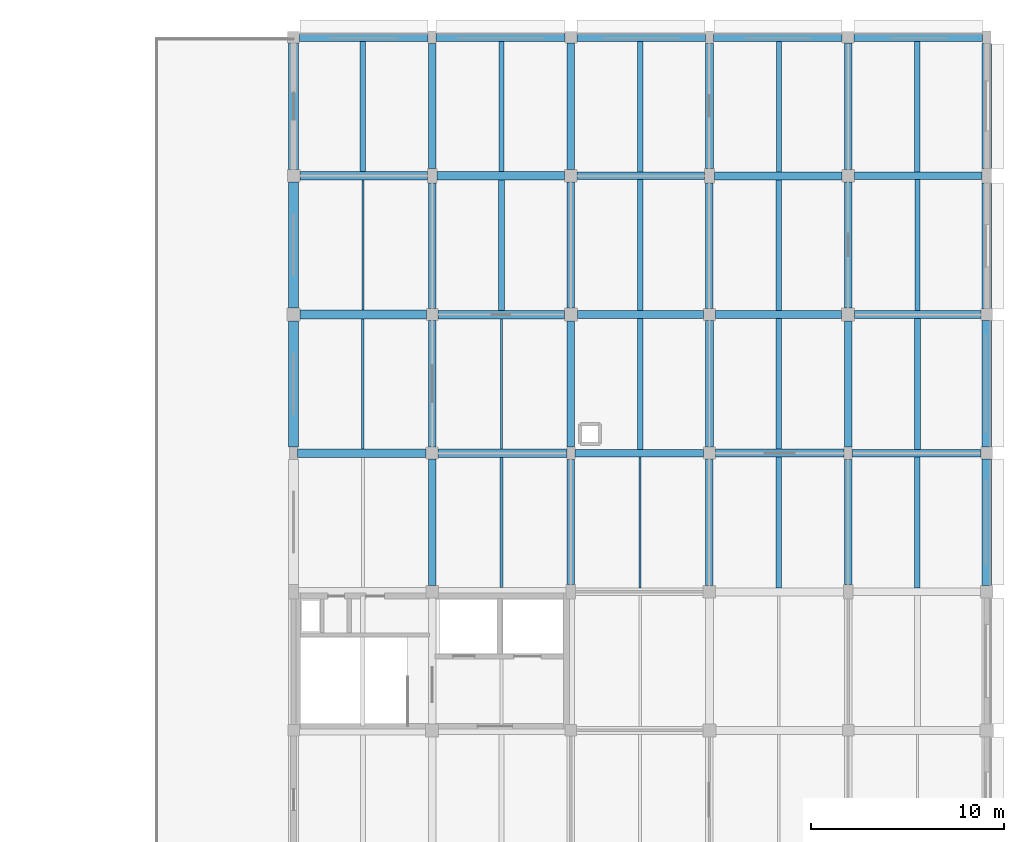
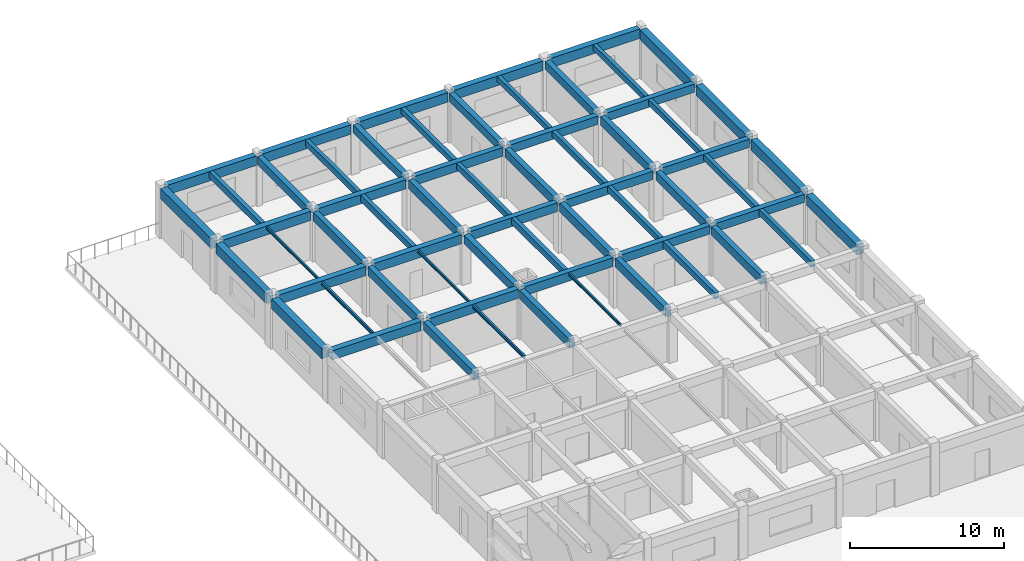
# One storey, part 9 of 38: 62 beams.
"""IFC4 building model written with IfcOpenShell, lengths in metres."""

from ifc_helpers import new_model, si_unit, direction, frame, origin, origin_2d, place, context, subcontext, project, spatial, rectangle, i_section, extrude, material, material_profile, profile_set, type_object, element, save


model = new_model("IFC4")

# Units and contexts
model_context = context("Model", 3, precision=1e-05, world=origin(), true_north=direction((0.0, 1.0)))
body_context = subcontext(model_context, "Body", "Model", "MODEL_VIEW")
ifc_project = project(units=[si_unit("LENGTHUNIT", "METRE"), si_unit("AREAUNIT", "SQUARE_METRE"), si_unit("VOLUMEUNIT", "CUBIC_METRE"), si_unit("PLANEANGLEUNIT", "RADIAN"), si_unit("MASSUNIT", "GRAM", prefix="KILO")], contexts=[model_context])

# Site, building, storey
site_placement = place(None, origin())
site = spatial("IfcSite", under=ifc_project, at=site_placement, CompositionType="ELEMENT")
building_placement = place(site_placement, origin())
building = spatial("IfcBuilding", under=site, at=building_placement, Name="Thalmaran Polytechnic", CompositionType="ELEMENT")
storey_placement = place(building_placement, frame((0.0, 0.0, 18.60009765625)))
storey = spatial("IfcBuildingStorey", under=building, at=storey_placement, Name="L04", CompositionType="ELEMENT", Elevation=18.60009765625)

# Beams
ifc_material_1 = material(Name="Concrete C40/50", Category="concrete")
ifc_material_profile_1 = material_profile(ifc_material_1, rectangle(XDim=0.449951171875, YDim=0.72509765625, at=origin_2d()), Name="RC 450x725")
ifc_profile_set_1 = profile_set([ifc_material_profile_1], Name="Concrete C40/50")
beam_type_1 = type_object("IfcBeamType", Name="BM-RC04", PredefinedType="BEAM", material=ifc_profile_set_1)
beam_1_placement = place(storey_placement, frame((137.010009765625, 100.800048828125, 3.602294921875), z_axis=(1.0, 0.0, 0.0), x_axis=(0.0, 1.0, 0.0)))
element("IfcBeam", 1, at=beam_1_placement, inside=storey, type_object=beam_type_1, Name="Grid Beam B04 L04 X(19,14)", PredefinedType="BEAM", context=body_context, shape_type="SweptSolid", body=[
    extrude(rectangle(XDim=0.449951171875, YDim=0.72509765625, at=origin_2d()), origin(), (0.0, 0.0, 1.0), 6.679931640625),
])
beam_2_placement = place(storey_placement, frame((137.139892578125, 108.0, 3.602294921875), z_axis=(1.0, 0.0, 0.0), x_axis=(0.0, 1.0, 0.0)))
element("IfcBeam", 2, at=beam_2_placement, inside=storey, type_object=beam_type_1, Name="Grid Beam B04 L04 X(19,15)", PredefinedType="BEAM", context=body_context, shape_type="SweptSolid", body=[
    extrude(rectangle(XDim=0.449951171875, YDim=0.72509765625, at=origin_2d()), origin(), (0.0, 0.0, 1.0), 6.56005859375),
])
beam_3_placement = place(storey_placement, frame((137.125, 115.199951171875, 3.602294921875), z_axis=(1.0, 0.0, 0.0), x_axis=(0.0, 1.0, 0.0)))
element("IfcBeam", 3, at=beam_3_placement, inside=storey, type_object=beam_type_1, Name="Grid Beam B04 L04 X(19,16)", PredefinedType="BEAM", context=body_context, shape_type="SweptSolid", body=[
    extrude(rectangle(XDim=0.449951171875, YDim=0.72509765625, at=origin_2d()), origin(), (0.0, 0.0, 1.0), 6.625),
])
ifc_material_profile_2 = material_profile(ifc_material_1, rectangle(XDim=0.39990234375, YDim=0.699951171875, at=origin_2d()), Name="RC 400x700")
ifc_profile_set_2 = profile_set([ifc_material_profile_2], Name="Concrete C40/50")
beam_type_2 = type_object("IfcBeamType", Name="BM-RC05", PredefinedType="BEAM", material=ifc_profile_set_2)
beam_4_placement = place(storey_placement, frame((151.409912109375, 100.800048828125, 3.614990234375), z_axis=(1.0, 0.0, 0.0), x_axis=(0.0, 1.0, 0.0)))
element("IfcBeam", 4, at=beam_4_placement, inside=storey, type_object=beam_type_2, Name="Grid Beam B05 L04 X(21,14)", PredefinedType="BEAM", context=body_context, shape_type="SweptSolid", body=[
    extrude(rectangle(XDim=0.39990234375, YDim=0.699951171875, at=origin_2d()), origin(), (0.0, 0.0, 1.0), 6.68017578125),
])
beam_5_placement = place(storey_placement, frame((151.5400390625, 108.0, 3.614990234375), z_axis=(1.0, 0.0, 0.0), x_axis=(0.0, 1.0, 0.0)))
element("IfcBeam", 5, at=beam_5_placement, inside=storey, type_object=beam_type_2, Name="Grid Beam B05 L04 X(21,15)", PredefinedType="BEAM", context=body_context, shape_type="SweptSolid", body=[
    extrude(rectangle(XDim=0.39990234375, YDim=0.699951171875, at=origin_2d()), origin(), (0.0, 0.0, 1.0), 6.56005859375),
])
beam_6_placement = place(storey_placement, frame((151.52490234375, 115.199951171875, 3.614990234375), z_axis=(1.0, 0.0, 0.0), x_axis=(0.0, 1.0, 0.0)))
element("IfcBeam", 6, at=beam_6_placement, inside=storey, type_object=beam_type_2, Name="Grid Beam B05 L04 X(21,16)", PredefinedType="BEAM", context=body_context, shape_type="SweptSolid", body=[
    extrude(rectangle(XDim=0.39990234375, YDim=0.699951171875, at=origin_2d()), origin(), (0.0, 0.0, 1.0), 6.625),
])
ifc_material_profile_3 = material_profile(ifc_material_1, rectangle(XDim=0.39990234375, YDim=0.64990234375, at=origin_2d()), Name="RC 400x650")
ifc_profile_set_3 = profile_set([ifc_material_profile_3], Name="Concrete C40/50")
beam_type_3 = type_object("IfcBeamType", Name="BM-RC06", PredefinedType="BEAM", material=ifc_profile_set_3)
beam_7_placement = place(storey_placement, frame((165.81005859375, 100.800048828125, 3.639892578125), z_axis=(1.0, 0.0, 0.0), x_axis=(0.0, 1.0, 0.0)))
element("IfcBeam", 7, at=beam_7_placement, inside=storey, type_object=beam_type_3, Name="Grid Beam B06 L04 X(23,14)", PredefinedType="BEAM", context=body_context, shape_type="SweptSolid", body=[
    extrude(rectangle(XDim=0.39990234375, YDim=0.64990234375, at=origin_2d()), origin(), (0.0, 0.0, 1.0), 6.679931640625),
])
beam_8_placement = place(storey_placement, frame((165.93994140625, 108.0, 3.639892578125), z_axis=(1.0, 0.0, 0.0), x_axis=(0.0, 1.0, 0.0)))
element("IfcBeam", 8, at=beam_8_placement, inside=storey, type_object=beam_type_3, Name="Grid Beam B06 L04 X(23,15)", PredefinedType="BEAM", context=body_context, shape_type="SweptSolid", body=[
    extrude(rectangle(XDim=0.39990234375, YDim=0.64990234375, at=origin_2d()), origin(), (0.0, 0.0, 1.0), 6.56005859375),
])
beam_9_placement = place(storey_placement, frame((165.925048828125, 115.199951171875, 3.639892578125), z_axis=(1.0, 0.0, 0.0), x_axis=(0.0, 1.0, 0.0)))
element("IfcBeam", 9, at=beam_9_placement, inside=storey, type_object=beam_type_3, Name="Grid Beam B06 L04 X(23,16)", PredefinedType="BEAM", context=body_context, shape_type="SweptSolid", body=[
    extrude(rectangle(XDim=0.39990234375, YDim=0.64990234375, at=origin_2d()), origin(), (0.0, 0.0, 1.0), 6.625),
])
ifc_material_profile_4 = material_profile(ifc_material_1, rectangle(XDim=0.39990234375, YDim=0.6298828125, at=origin_2d()), Name="RC 400x630")
ifc_profile_set_4 = profile_set([ifc_material_profile_4], Name="Concrete C40/50")
beam_type_4 = type_object("IfcBeamType", Name="BM-RC07", PredefinedType="BEAM", material=ifc_profile_set_4)
beam_10_placement = place(storey_placement, frame((144.0, 115.574951171875, 3.64990234375), z_axis=(0.0, 1.0, 0.0), x_axis=(-1.0, 0.0, 0.0)))
element("IfcBeam", 10, at=beam_10_placement, inside=storey, type_object=beam_type_4, Name="Grid Beam B07 L04 Y(20,16)", PredefinedType="BEAM", context=body_context, shape_type="SweptSolid", body=[
    extrude(rectangle(XDim=0.39990234375, YDim=0.6298828125, at=origin_2d()), origin(), (0.0, 0.0, 1.0), 6.505126953125),
])
beam_11_placement = place(storey_placement, frame((151.199951171875, 115.52490234375, 3.64990234375), z_axis=(0.0, 1.0, 0.0), x_axis=(-1.0, 0.0, 0.0)))
element("IfcBeam", 11, at=beam_11_placement, inside=storey, type_object=beam_type_4, Name="Grid Beam B07 L04 Y(21,16)", PredefinedType="BEAM", context=body_context, shape_type="SweptSolid", body=[
    extrude(rectangle(XDim=0.39990234375, YDim=0.6298828125, at=origin_2d()), origin(), (0.0, 0.0, 1.0), 6.565185546875),
])
beam_12_placement = place(storey_placement, frame((158.39990234375, 115.574951171875, 3.64990234375), z_axis=(0.0, 1.0, 0.0), x_axis=(-1.0, 0.0, 0.0)))
element("IfcBeam", 12, at=beam_12_placement, inside=storey, type_object=beam_type_4, Name="Grid Beam B07 L04 Y(22,16)", PredefinedType="BEAM", context=body_context, shape_type="SweptSolid", body=[
    extrude(rectangle(XDim=0.39990234375, YDim=0.6298828125, at=origin_2d()), origin(), (0.0, 0.0, 1.0), 6.505126953125),
])
beam_13_placement = place(storey_placement, frame((165.60009765625, 115.52490234375, 3.64990234375), z_axis=(0.0, 1.0, 0.0), x_axis=(-1.0, 0.0, 0.0)))
element("IfcBeam", 13, at=beam_13_placement, inside=storey, type_object=beam_type_4, Name="Grid Beam B07 L04 Y(23,16)", PredefinedType="BEAM", context=body_context, shape_type="SweptSolid", body=[
    extrude(rectangle(XDim=0.39990234375, YDim=0.6298828125, at=origin_2d()), origin(), (0.0, 0.0, 1.0), 6.565185546875),
])
ifc_material_profile_5 = material_profile(ifc_material_1, rectangle(XDim=0.389892578125, YDim=0.68994140625, at=origin_2d()), Name="RC 390x690")
ifc_profile_set_5 = profile_set([ifc_material_profile_5], Name="Concrete C40/50")
beam_type_5 = type_object("IfcBeamType", Name="BM-RC09", PredefinedType="BEAM", material=ifc_profile_set_5)
beam_14_placement = place(storey_placement, frame((144.0, 93.925048828125, 3.619873046875), z_axis=(0.0, 1.0, 0.0), x_axis=(-1.0, 0.0, 0.0)))
element("IfcBeam", 14, at=beam_14_placement, inside=storey, type_object=beam_type_5, Name="Grid Beam B09 L04 Y(20,13)", PredefinedType="BEAM", context=body_context, shape_type="SweptSolid", body=[
    extrude(rectangle(XDim=0.389892578125, YDim=0.68994140625, at=origin_2d()), origin(), (0.0, 0.0, 1.0), 6.56494140625),
])
beam_15_placement = place(storey_placement, frame((151.199951171875, 93.97509765625, 3.619873046875), z_axis=(0.0, 1.0, 0.0), x_axis=(-1.0, 0.0, 0.0)))
element("IfcBeam", 15, at=beam_15_placement, inside=storey, type_object=beam_type_5, Name="Grid Beam B09 L04 Y(21,13)", PredefinedType="BEAM", context=body_context, shape_type="SweptSolid", body=[
    extrude(rectangle(XDim=0.389892578125, YDim=0.68994140625, at=origin_2d()), origin(), (0.0, 0.0, 1.0), 6.5048828125),
])
beam_16_placement = place(storey_placement, frame((158.39990234375, 93.925048828125, 3.619873046875), z_axis=(0.0, 1.0, 0.0), x_axis=(-1.0, 0.0, 0.0)))
element("IfcBeam", 16, at=beam_16_placement, inside=storey, type_object=beam_type_5, Name="Grid Beam B09 L04 Y(22,13)", PredefinedType="BEAM", context=body_context, shape_type="SweptSolid", body=[
    extrude(rectangle(XDim=0.389892578125, YDim=0.68994140625, at=origin_2d()), origin(), (0.0, 0.0, 1.0), 6.56494140625),
])
beam_17_placement = place(storey_placement, frame((165.60009765625, 93.97509765625, 3.619873046875), z_axis=(0.0, 1.0, 0.0), x_axis=(-1.0, 0.0, 0.0)))
element("IfcBeam", 17, at=beam_17_placement, inside=storey, type_object=beam_type_5, Name="Grid Beam B09 L04 Y(23,13)", PredefinedType="BEAM", context=body_context, shape_type="SweptSolid", body=[
    extrude(rectangle(XDim=0.389892578125, YDim=0.68994140625, at=origin_2d()), origin(), (0.0, 0.0, 1.0), 6.5048828125),
])
ifc_material_profile_6 = material_profile(ifc_material_1, rectangle(XDim=0.389892578125, YDim=0.695068359375, at=origin_2d()), Name="RC 390x695")
ifc_profile_set_6 = profile_set([ifc_material_profile_6], Name="Concrete C40/50")
beam_type_6 = type_object("IfcBeamType", Name="BM-RC10", PredefinedType="BEAM", material=ifc_profile_set_6)
beam_18_placement = place(storey_placement, frame((144.0, 108.300048828125, 3.617431640625), z_axis=(0.0, 1.0, 0.0), x_axis=(-1.0, 0.0, 0.0)))
element("IfcBeam", 18, at=beam_18_placement, inside=storey, type_object=beam_type_6, Name="Grid Beam B10 L04 Y(20,15)", PredefinedType="BEAM", context=body_context, shape_type="SweptSolid", body=[
    extrude(rectangle(XDim=0.389892578125, YDim=0.695068359375, at=origin_2d()), origin(), (0.0, 0.0, 1.0), 6.52490234375),
])
beam_19_placement = place(storey_placement, frame((151.199951171875, 108.340087890625, 3.617431640625), z_axis=(0.0, 1.0, 0.0), x_axis=(-1.0, 0.0, 0.0)))
element("IfcBeam", 19, at=beam_19_placement, inside=storey, type_object=beam_type_6, Name="Grid Beam B10 L04 Y(21,15)", PredefinedType="BEAM", context=body_context, shape_type="SweptSolid", body=[
    extrude(rectangle(XDim=0.389892578125, YDim=0.695068359375, at=origin_2d()), origin(), (0.0, 0.0, 1.0), 6.534912109375),
])
beam_20_placement = place(storey_placement, frame((158.39990234375, 108.300048828125, 3.617431640625), z_axis=(0.0, 1.0, 0.0), x_axis=(-1.0, 0.0, 0.0)))
element("IfcBeam", 20, at=beam_20_placement, inside=storey, type_object=beam_type_6, Name="Grid Beam B10 L04 Y(22,15)", PredefinedType="BEAM", context=body_context, shape_type="SweptSolid", body=[
    extrude(rectangle(XDim=0.389892578125, YDim=0.695068359375, at=origin_2d()), origin(), (0.0, 0.0, 1.0), 6.52490234375),
])
beam_21_placement = place(storey_placement, frame((165.60009765625, 108.340087890625, 3.617431640625), z_axis=(0.0, 1.0, 0.0), x_axis=(-1.0, 0.0, 0.0)))
element("IfcBeam", 21, at=beam_21_placement, inside=storey, type_object=beam_type_6, Name="Grid Beam B10 L04 Y(23,15)", PredefinedType="BEAM", context=body_context, shape_type="SweptSolid", body=[
    extrude(rectangle(XDim=0.389892578125, YDim=0.695068359375, at=origin_2d()), origin(), (0.0, 0.0, 1.0), 6.534912109375),
])
ifc_material_profile_7 = material_profile(ifc_material_1, rectangle(XDim=0.300048828125, YDim=0.5, at=origin_2d()), Name="RC 300x500")
ifc_profile_set_7 = profile_set([ifc_material_profile_7], Name="Concrete C40/50")
beam_type_7 = type_object("IfcBeamType", Name="BM-RC11", PredefinedType="JOIST", material=ifc_profile_set_7)
beam_22_placement = place(storey_placement, frame((140.39990234375, 115.425048828125, 3.71484375), z_axis=(0.0, 1.0, 0.0), x_axis=(-1.0, 0.0, 0.0)))
element("IfcBeam", 22, at=beam_22_placement, inside=storey, type_object=beam_type_7, Name="Secondary Floor Rib RB01 L04 (19,16)", PredefinedType="JOIST", context=body_context, shape_type="SweptSolid", body=[
    extrude(rectangle(XDim=0.300048828125, YDim=0.5, at=origin_2d()), origin(), (0.0, 0.0, 1.0), 6.75),
])
beam_23_placement = place(storey_placement, frame((147.60009765625, 108.219970703125, 3.71484375), z_axis=(0.0, 1.0, 0.0), x_axis=(-1.0, 0.0, 0.0)))
element("IfcBeam", 23, at=beam_23_placement, inside=storey, type_object=beam_type_7, Name="Secondary Floor Rib RB01 L04 (20,15)", PredefinedType="JOIST", context=body_context, shape_type="SweptSolid", body=[
    extrude(rectangle(XDim=0.300048828125, YDim=0.5, at=origin_2d()), origin(), (0.0, 0.0, 1.0), 6.760009765625),
])
beam_24_placement = place(storey_placement, frame((154.800048828125, 101.0, 3.71484375), z_axis=(0.0, 1.0, 0.0), x_axis=(-1.0, 0.0, 0.0)))
element("IfcBeam", 24, at=beam_24_placement, inside=storey, type_object=beam_type_7, Name="Secondary Floor Rib RB01 L04 (21,14)", PredefinedType="JOIST", context=body_context, shape_type="SweptSolid", body=[
    extrude(rectangle(XDim=0.300048828125, YDim=0.5, at=origin_2d()), origin(), (0.0, 0.0, 1.0), 6.800048828125),
])
beam_25_placement = place(storey_placement, frame((162.0, 93.81005859375, 3.71484375), z_axis=(0.0, 1.0, 0.0), x_axis=(-1.0, 0.0, 0.0)))
element("IfcBeam", 25, at=beam_25_placement, inside=storey, type_object=beam_type_7, Name="Secondary Floor Rib RB01 L04 (22,13)", PredefinedType="JOIST", context=body_context, shape_type="SweptSolid", body=[
    extrude(rectangle(XDim=0.300048828125, YDim=0.5, at=origin_2d()), origin(), (0.0, 0.0, 1.0), 6.780029296875),
])
ifc_material_profile_8 = material_profile(ifc_material_1, rectangle(XDim=0.300048828125, YDim=0.449951171875, at=origin_2d()), Name="RC 300x450")
ifc_profile_set_8 = profile_set([ifc_material_profile_8], Name="Concrete C40/50")
beam_type_8 = type_object("IfcBeamType", Name="BM-RC12", PredefinedType="JOIST", material=ifc_profile_set_8)
beam_26_placement = place(storey_placement, frame((154.800048828125, 115.39990234375, 3.739990234375), z_axis=(0.0, 1.0, 0.0), x_axis=(-1.0, 0.0, 0.0)))
element("IfcBeam", 26, at=beam_26_placement, inside=storey, type_object=beam_type_8, Name="Secondary Floor Rib RB02 L04 (21,16)", PredefinedType="JOIST", context=body_context, shape_type="SweptSolid", body=[
    extrude(rectangle(XDim=0.300048828125, YDim=0.449951171875, at=origin_2d()), origin(), (0.0, 0.0, 1.0), 6.775146484375),
])
beam_27_placement = place(storey_placement, frame((162.0, 108.2099609375, 3.739990234375), z_axis=(0.0, 1.0, 0.0), x_axis=(-1.0, 0.0, 0.0)))
element("IfcBeam", 27, at=beam_27_placement, inside=storey, type_object=beam_type_8, Name="Secondary Floor Rib RB02 L04 (22,15)", PredefinedType="JOIST", context=body_context, shape_type="SweptSolid", body=[
    extrude(rectangle(XDim=0.300048828125, YDim=0.449951171875, at=origin_2d()), origin(), (0.0, 0.0, 1.0), 6.780029296875),
])
beam_28_placement = place(storey_placement, frame((169.199951171875, 101.0, 3.739990234375), z_axis=(0.0, 1.0, 0.0), x_axis=(-1.0, 0.0, 0.0)))
element("IfcBeam", 28, at=beam_28_placement, inside=storey, type_object=beam_type_8, Name="Secondary Floor Rib RB02 L04 (23,14)", PredefinedType="JOIST", context=body_context, shape_type="SweptSolid", body=[
    extrude(rectangle(XDim=0.300048828125, YDim=0.449951171875, at=origin_2d()), origin(), (0.0, 0.0, 1.0), 6.800048828125),
])
ifc_material_profile_9 = material_profile(ifc_material_1, rectangle(XDim=0.280029296875, YDim=0.449951171875, at=origin_2d()), Name="RC 280x450")
ifc_profile_set_9 = profile_set([ifc_material_profile_9], Name="Concrete C40/50")
beam_type_9 = type_object("IfcBeamType", Name="BM-RC13", PredefinedType="JOIST", material=ifc_profile_set_9)
beam_29_placement = place(storey_placement, frame((169.199951171875, 115.39990234375, 3.739990234375), z_axis=(0.0, 1.0, 0.0), x_axis=(-1.0, 0.0, 0.0)))
element("IfcBeam", 29, at=beam_29_placement, inside=storey, type_object=beam_type_9, Name="Secondary Floor Rib RB03 L04 (23,16)", PredefinedType="JOIST", context=body_context, shape_type="SweptSolid", body=[
    extrude(rectangle(XDim=0.280029296875, YDim=0.449951171875, at=origin_2d()), origin(), (0.0, 0.0, 1.0), 6.775146484375),
])
ifc_material_2 = material(Name="Steel S355", Category="steel")
ifc_material_profile_10 = material_profile(ifc_material_2, i_section(OverallWidth=0.135009765625, OverallDepth=0.27001953125, WebThickness=0.006591796875, FlangeThickness=0.01025390625, at=origin_2d()), Name="IPE 270")
ifc_profile_set_10 = profile_set([ifc_material_profile_10], Name="Steel S355")
beam_type_10 = type_object("IfcBeamType", Name="BM-SJ03", PredefinedType="JOIST", material=ifc_profile_set_10)
beam_30_placement = place(storey_placement, frame((140.39990234375, 101.02490234375, 3.829833984375), z_axis=(0.0, 1.0, 0.0), x_axis=(-1.0, 0.0, 0.0)))
element("IfcBeam", 30, at=beam_30_placement, inside=storey, type_object=beam_type_10, Name="Secondary Floor Rib SJ03 L04 (19,14)", PredefinedType="JOIST", context=body_context, shape_type="SweptSolid", body=[
    extrude(i_section(OverallWidth=0.135009765625, OverallDepth=0.27001953125, WebThickness=0.006591796875, FlangeThickness=0.01025390625, at=origin_2d()), origin(), (0.0, 0.0, 1.0), 6.75),
])
beam_31_placement = place(storey_placement, frame((147.60009765625, 93.820068359375, 3.829833984375), z_axis=(0.0, 1.0, 0.0), x_axis=(-1.0, 0.0, 0.0)))
element("IfcBeam", 31, at=beam_31_placement, inside=storey, type_object=beam_type_10, Name="Secondary Floor Rib SJ03 L04 (20,13)", PredefinedType="JOIST", context=body_context, shape_type="SweptSolid", body=[
    extrude(i_section(OverallWidth=0.135009765625, OverallDepth=0.27001953125, WebThickness=0.006591796875, FlangeThickness=0.01025390625, at=origin_2d()), origin(), (0.0, 0.0, 1.0), 6.760009765625),
])
ifc_material_profile_11 = material_profile(ifc_material_2, i_section(OverallWidth=0.110107421875, OverallDepth=0.219970703125, WebThickness=0.005859375, FlangeThickness=0.00927734375, at=origin_2d()), Name="IPE 220")
ifc_profile_set_11 = profile_set([ifc_material_profile_11], Name="Steel S355")
beam_type_11 = type_object("IfcBeamType", Name="BM-SJ04", PredefinedType="JOIST", material=ifc_profile_set_11)
beam_32_placement = place(storey_placement, frame((140.39990234375, 108.22509765625, 3.85498046875), z_axis=(0.0, 1.0, 0.0), x_axis=(-1.0, 0.0, 0.0)))
element("IfcBeam", 32, at=beam_32_placement, inside=storey, type_object=beam_type_11, Name="Secondary Floor Rib SJ04 L04 (19,15)", PredefinedType="JOIST", context=body_context, shape_type="SweptSolid", body=[
    extrude(i_section(OverallWidth=0.110107421875, OverallDepth=0.219970703125, WebThickness=0.005859375, FlangeThickness=0.00927734375, at=origin_2d()), origin(), (0.0, 0.0, 1.0), 6.75),
])
beam_33_placement = place(storey_placement, frame((147.60009765625, 101.02001953125, 3.85498046875), z_axis=(0.0, 1.0, 0.0), x_axis=(-1.0, 0.0, 0.0)))
element("IfcBeam", 33, at=beam_33_placement, inside=storey, type_object=beam_type_11, Name="Secondary Floor Rib SJ04 L04 (20,14)", PredefinedType="JOIST", context=body_context, shape_type="SweptSolid", body=[
    extrude(i_section(OverallWidth=0.110107421875, OverallDepth=0.219970703125, WebThickness=0.005859375, FlangeThickness=0.00927734375, at=origin_2d()), origin(), (0.0, 0.0, 1.0), 6.760009765625),
])
beam_34_placement = place(storey_placement, frame((154.800048828125, 93.800048828125, 3.85498046875), z_axis=(0.0, 1.0, 0.0), x_axis=(-1.0, 0.0, 0.0)))
element("IfcBeam", 34, at=beam_34_placement, inside=storey, type_object=beam_type_11, Name="Secondary Floor Rib SJ04 L04 (21,13)", PredefinedType="JOIST", context=body_context, shape_type="SweptSolid", body=[
    extrude(i_section(OverallWidth=0.110107421875, OverallDepth=0.219970703125, WebThickness=0.005859375, FlangeThickness=0.00927734375, at=origin_2d()), origin(), (0.0, 0.0, 1.0), 6.800048828125),
])
ifc_material_profile_12 = material_profile(ifc_material_1, rectangle(XDim=0.449951171875, YDim=0.7548828125, at=origin_2d()), Name="RC 450x755")
ifc_profile_set_12 = profile_set([ifc_material_profile_12], Name="Concrete C40/50")
beam_type_12 = type_object("IfcBeamType", Name="BM-SP02", PredefinedType="SPANDREL", material=ifc_profile_set_12)
for number, where, z_axis, x_axis, name in (
    (35, (137.110107421875, 122.39990234375, 3.58740234375), (1.0, 0.0, 0.0), (0.0, 1.0, 0.0), "Grid Beam SP02 L04 X(19,17)"),
    (36, (144.2099609375, 122.39990234375, 3.58740234375), (1.0, 0.0, 0.0), (0.0, 1.0, 0.0), "Grid Beam SP02 L04 X(20,17)"),
    (37, (151.510009765625, 122.39990234375, 3.58740234375), (1.0, 0.0, 0.0), (0.0, 1.0, 0.0), "Grid Beam SP02 L04 X(21,17)"),
    (38, (158.610107421875, 122.39990234375, 3.58740234375), (1.0, 0.0, 0.0), (0.0, 1.0, 0.0), "Grid Beam SP02 L04 X(22,17)"),
):
    element("IfcBeam", number, at=place(storey_placement, frame(where, z_axis=z_axis, x_axis=x_axis)), inside=storey, type_object=beam_type_12, Name=name, PredefinedType="SPANDREL", context=body_context, shape_type="SweptSolid", body=[
        extrude(rectangle(XDim=0.449951171875, YDim=0.7548828125, at=origin_2d()), origin(), (0.0, 0.0, 1.0), 6.679931640625),
    ])
beam_35_placement = place(storey_placement, frame((165.909912109375, 122.39990234375, 3.58740234375), z_axis=(1.0, 0.0, 0.0), x_axis=(0.0, 1.0, 0.0)))
element("IfcBeam", 39, at=beam_35_placement, inside=storey, type_object=beam_type_12, Name="Grid Beam SP02 L04 X(23,17)", PredefinedType="SPANDREL", context=body_context, shape_type="SweptSolid", body=[
    extrude(rectangle(XDim=0.449951171875, YDim=0.7548828125, at=origin_2d()), origin(), (0.0, 0.0, 1.0), 6.68017578125),
])
ifc_material_profile_13 = material_profile(ifc_material_1, rectangle(XDim=0.5, YDim=0.804931640625, at=origin_2d()), Name="RC 500x805")
ifc_profile_set_13 = profile_set([ifc_material_profile_13], Name="Concrete C40/50")
beam_type_13 = type_object("IfcBeamType", Name="BM-SP03", PredefinedType="SPANDREL", material=ifc_profile_set_13)
beam_36_placement = place(storey_placement, frame((136.800048828125, 101.1201171875, 3.5625), z_axis=(0.0, 1.0, 0.0), x_axis=(-1.0, 0.0, 0.0)))
element("IfcBeam", 40, at=beam_36_placement, inside=storey, type_object=beam_type_13, Name="Grid Beam SP03 L04 Y(19,14)", PredefinedType="SPANDREL", context=body_context, shape_type="SweptSolid", body=[
    extrude(rectangle(XDim=0.5, YDim=0.804931640625, at=origin_2d()), origin(), (0.0, 0.0, 1.0), 6.539794921875),
])
beam_37_placement = place(storey_placement, frame((136.800048828125, 108.340087890625, 3.5625), z_axis=(0.0, 1.0, 0.0), x_axis=(-1.0, 0.0, 0.0)))
element("IfcBeam", 41, at=beam_37_placement, inside=storey, type_object=beam_type_13, Name="Grid Beam SP03 L04 Y(19,15)", PredefinedType="SPANDREL", context=body_context, shape_type="SweptSolid", body=[
    extrude(rectangle(XDim=0.5, YDim=0.804931640625, at=origin_2d()), origin(), (0.0, 0.0, 1.0), 6.534912109375),
])
beam_38_placement = place(storey_placement, frame((136.800048828125, 115.52490234375, 3.5625), z_axis=(0.0, 1.0, 0.0), x_axis=(-1.0, 0.0, 0.0)))
element("IfcBeam", 42, at=beam_38_placement, inside=storey, type_object=beam_type_13, Name="Grid Beam SP03 L04 Y(19,16)", PredefinedType="SPANDREL", context=body_context, shape_type="SweptSolid", body=[
    extrude(rectangle(XDim=0.5, YDim=0.804931640625, at=origin_2d()), origin(), (0.0, 0.0, 1.0), 6.565185546875),
])
beam_39_placement = place(storey_placement, frame((172.800048828125, 93.925048828125, 3.5625), z_axis=(0.0, 1.0, 0.0), x_axis=(-1.0, 0.0, 0.0)))
element("IfcBeam", 43, at=beam_39_placement, inside=storey, type_object=beam_type_13, Name="Grid Beam SP03 L04 Y(24,13)", PredefinedType="SPANDREL", context=body_context, shape_type="SweptSolid", body=[
    extrude(rectangle(XDim=0.5, YDim=0.804931640625, at=origin_2d()), origin(), (0.0, 0.0, 1.0), 6.56494140625),
])
beam_40_placement = place(storey_placement, frame((172.800048828125, 101.110107421875, 3.5625), z_axis=(0.0, 1.0, 0.0), x_axis=(-1.0, 0.0, 0.0)))
element("IfcBeam", 44, at=beam_40_placement, inside=storey, type_object=beam_type_13, Name="Grid Beam SP03 L04 Y(24,14)", PredefinedType="SPANDREL", context=body_context, shape_type="SweptSolid", body=[
    extrude(rectangle(XDim=0.5, YDim=0.804931640625, at=origin_2d()), origin(), (0.0, 0.0, 1.0), 6.58984375),
])
beam_41_placement = place(storey_placement, frame((172.800048828125, 108.300048828125, 3.5625), z_axis=(0.0, 1.0, 0.0), x_axis=(-1.0, 0.0, 0.0)))
element("IfcBeam", 45, at=beam_41_placement, inside=storey, type_object=beam_type_13, Name="Grid Beam SP03 L04 Y(24,15)", PredefinedType="SPANDREL", context=body_context, shape_type="SweptSolid", body=[
    extrude(rectangle(XDim=0.5, YDim=0.804931640625, at=origin_2d()), origin(), (0.0, 0.0, 1.0), 6.52490234375),
])
beam_42_placement = place(storey_placement, frame((172.800048828125, 115.574951171875, 3.5625), z_axis=(0.0, 1.0, 0.0), x_axis=(-1.0, 0.0, 0.0)))
element("IfcBeam", 46, at=beam_42_placement, inside=storey, type_object=beam_type_13, Name="Grid Beam SP03 L04 Y(24,16)", PredefinedType="SPANDREL", context=body_context, shape_type="SweptSolid", body=[
    extrude(rectangle(XDim=0.5, YDim=0.804931640625, at=origin_2d()), origin(), (0.0, 0.0, 1.0), 6.505126953125),
])
ifc_material_profile_14 = material_profile(ifc_material_1, rectangle(XDim=0.43994140625, YDim=0.719970703125, at=origin_2d()), Name="RC 440x720")
ifc_profile_set_14 = profile_set([ifc_material_profile_14], Name="Concrete C40/50")
beam_type_14 = type_object("IfcBeamType", Name="BM-ZB03", PredefinedType="BEAM", material=ifc_profile_set_14)
beam_43_placement = place(storey_placement, frame((144.31005859375, 100.800048828125, 3.60498046875), z_axis=(1.0, 0.0, 0.0), x_axis=(0.0, 1.0, 0.0)))
element("IfcBeam", 47, at=beam_43_placement, inside=storey, type_object=beam_type_14, Name="Grid Beam ZB03 L04 X(20,14)", PredefinedType="BEAM", context=body_context, shape_type="SweptSolid", body=[
    extrude(rectangle(XDim=0.43994140625, YDim=0.719970703125, at=origin_2d()), origin(), (0.0, 0.0, 1.0), 6.679931640625),
])
beam_44_placement = place(storey_placement, frame((144.300048828125, 108.0, 3.60498046875), z_axis=(1.0, 0.0, 0.0), x_axis=(0.0, 1.0, 0.0)))
element("IfcBeam", 48, at=beam_44_placement, inside=storey, type_object=beam_type_14, Name="Grid Beam ZB03 L04 X(20,15)", PredefinedType="BEAM", context=body_context, shape_type="SweptSolid", body=[
    extrude(rectangle(XDim=0.43994140625, YDim=0.719970703125, at=origin_2d()), origin(), (0.0, 0.0, 1.0), 6.56005859375),
])
beam_45_placement = place(storey_placement, frame((144.25, 115.199951171875, 3.60498046875), z_axis=(1.0, 0.0, 0.0), x_axis=(0.0, 1.0, 0.0)))
element("IfcBeam", 49, at=beam_45_placement, inside=storey, type_object=beam_type_14, Name="Grid Beam ZB03 L04 X(20,16)", PredefinedType="BEAM", context=body_context, shape_type="SweptSolid", body=[
    extrude(rectangle(XDim=0.43994140625, YDim=0.719970703125, at=origin_2d()), origin(), (0.0, 0.0, 1.0), 6.625),
])
ifc_material_profile_15 = material_profile(ifc_material_1, rectangle(XDim=0.419921875, YDim=0.659912109375, at=origin_2d()), Name="RC 420x660")
ifc_profile_set_15 = profile_set([ifc_material_profile_15], Name="Concrete C40/50")
beam_type_15 = type_object("IfcBeamType", Name="BM-ZB04", PredefinedType="BEAM", material=ifc_profile_set_15)
beam_46_placement = place(storey_placement, frame((158.7099609375, 100.800048828125, 3.635009765625), z_axis=(1.0, 0.0, 0.0), x_axis=(0.0, 1.0, 0.0)))
element("IfcBeam", 50, at=beam_46_placement, inside=storey, type_object=beam_type_15, Name="Grid Beam ZB04 L04 X(22,14)", PredefinedType="BEAM", context=body_context, shape_type="SweptSolid", body=[
    extrude(rectangle(XDim=0.419921875, YDim=0.659912109375, at=origin_2d()), origin(), (0.0, 0.0, 1.0), 6.679931640625),
])
beam_47_placement = place(storey_placement, frame((158.699951171875, 108.0, 3.635009765625), z_axis=(1.0, 0.0, 0.0), x_axis=(0.0, 1.0, 0.0)))
element("IfcBeam", 51, at=beam_47_placement, inside=storey, type_object=beam_type_15, Name="Grid Beam ZB04 L04 X(22,15)", PredefinedType="BEAM", context=body_context, shape_type="SweptSolid", body=[
    extrude(rectangle(XDim=0.419921875, YDim=0.659912109375, at=origin_2d()), origin(), (0.0, 0.0, 1.0), 6.56005859375),
])
beam_48_placement = place(storey_placement, frame((158.64990234375, 115.199951171875, 3.635009765625), z_axis=(1.0, 0.0, 0.0), x_axis=(0.0, 1.0, 0.0)))
element("IfcBeam", 52, at=beam_48_placement, inside=storey, type_object=beam_type_15, Name="Grid Beam ZB04 L04 X(22,16)", PredefinedType="BEAM", context=body_context, shape_type="SweptSolid", body=[
    extrude(rectangle(XDim=0.419921875, YDim=0.659912109375, at=origin_2d()), origin(), (0.0, 0.0, 1.0), 6.625),
])
ifc_material_profile_16 = material_profile(ifc_material_1, rectangle(XDim=0.39990234375, YDim=0.695068359375, at=origin_2d()), Name="RC 400x695")
ifc_profile_set_16 = profile_set([ifc_material_profile_16], Name="Concrete C40/50")
beam_type_16 = type_object("IfcBeamType", Name="BM-ZB08", PredefinedType="BEAM", material=ifc_profile_set_16)
beam_49_placement = place(storey_placement, frame((144.0, 101.110107421875, 3.617431640625), z_axis=(0.0, 1.0, 0.0), x_axis=(-1.0, 0.0, 0.0)))
element("IfcBeam", 53, at=beam_49_placement, inside=storey, type_object=beam_type_16, Name="Grid Beam ZB08 L04 Y(20,14)", PredefinedType="BEAM", context=body_context, shape_type="SweptSolid", body=[
    extrude(rectangle(XDim=0.39990234375, YDim=0.695068359375, at=origin_2d()), origin(), (0.0, 0.0, 1.0), 6.58984375),
])
beam_50_placement = place(storey_placement, frame((151.199951171875, 101.1201171875, 3.617431640625), z_axis=(0.0, 1.0, 0.0), x_axis=(-1.0, 0.0, 0.0)))
element("IfcBeam", 54, at=beam_50_placement, inside=storey, type_object=beam_type_16, Name="Grid Beam ZB08 L04 Y(21,14)", PredefinedType="BEAM", context=body_context, shape_type="SweptSolid", body=[
    extrude(rectangle(XDim=0.39990234375, YDim=0.695068359375, at=origin_2d()), origin(), (0.0, 0.0, 1.0), 6.539794921875),
])
beam_51_placement = place(storey_placement, frame((158.39990234375, 101.110107421875, 3.617431640625), z_axis=(0.0, 1.0, 0.0), x_axis=(-1.0, 0.0, 0.0)))
element("IfcBeam", 55, at=beam_51_placement, inside=storey, type_object=beam_type_16, Name="Grid Beam ZB08 L04 Y(22,14)", PredefinedType="BEAM", context=body_context, shape_type="SweptSolid", body=[
    extrude(rectangle(XDim=0.39990234375, YDim=0.695068359375, at=origin_2d()), origin(), (0.0, 0.0, 1.0), 6.58984375),
])
beam_52_placement = place(storey_placement, frame((165.60009765625, 101.1201171875, 3.617431640625), z_axis=(0.0, 1.0, 0.0), x_axis=(-1.0, 0.0, 0.0)))
element("IfcBeam", 56, at=beam_52_placement, inside=storey, type_object=beam_type_16, Name="Grid Beam ZB08 L04 Y(23,14)", PredefinedType="BEAM", context=body_context, shape_type="SweptSolid", body=[
    extrude(rectangle(XDim=0.39990234375, YDim=0.695068359375, at=origin_2d()), origin(), (0.0, 0.0, 1.0), 6.539794921875),
])
ifc_material_profile_17 = material_profile(ifc_material_1, rectangle(XDim=0.280029296875, YDim=0.47998046875, at=origin_2d()), Name="RC 280x480")
ifc_profile_set_17 = profile_set([ifc_material_profile_17], Name="Concrete C40/50")
beam_type_17 = type_object("IfcBeamType", Name="BM-ZJ01", PredefinedType="JOIST", material=ifc_profile_set_17)
beam_53_placement = place(storey_placement, frame((147.60009765625, 115.419921875, 3.724853515625), z_axis=(0.0, 1.0, 0.0), x_axis=(-1.0, 0.0, 0.0)))
element("IfcBeam", 57, at=beam_53_placement, inside=storey, type_object=beam_type_17, Name="Secondary Floor Rib ZJ01 L04 (20,16)", PredefinedType="JOIST", context=body_context, shape_type="SweptSolid", body=[
    extrude(rectangle(XDim=0.280029296875, YDim=0.47998046875, at=origin_2d()), origin(), (0.0, 0.0, 1.0), 6.755126953125),
])
beam_54_placement = place(storey_placement, frame((154.800048828125, 108.199951171875, 3.724853515625), z_axis=(0.0, 1.0, 0.0), x_axis=(-1.0, 0.0, 0.0)))
element("IfcBeam", 58, at=beam_54_placement, inside=storey, type_object=beam_type_17, Name="Secondary Floor Rib ZJ01 L04 (21,15)", PredefinedType="JOIST", context=body_context, shape_type="SweptSolid", body=[
    extrude(rectangle(XDim=0.280029296875, YDim=0.47998046875, at=origin_2d()), origin(), (0.0, 0.0, 1.0), 6.800048828125),
])
beam_55_placement = place(storey_placement, frame((162.0, 101.010009765625, 3.724853515625), z_axis=(0.0, 1.0, 0.0), x_axis=(-1.0, 0.0, 0.0)))
element("IfcBeam", 59, at=beam_55_placement, inside=storey, type_object=beam_type_17, Name="Secondary Floor Rib ZJ01 L04 (22,14)", PredefinedType="JOIST", context=body_context, shape_type="SweptSolid", body=[
    extrude(rectangle(XDim=0.280029296875, YDim=0.47998046875, at=origin_2d()), origin(), (0.0, 0.0, 1.0), 6.780029296875),
])
beam_56_placement = place(storey_placement, frame((169.199951171875, 93.800048828125, 3.724853515625), z_axis=(0.0, 1.0, 0.0), x_axis=(-1.0, 0.0, 0.0)))
element("IfcBeam", 60, at=beam_56_placement, inside=storey, type_object=beam_type_17, Name="Secondary Floor Rib ZJ01 L04 (23,13)", PredefinedType="JOIST", context=body_context, shape_type="SweptSolid", body=[
    extrude(rectangle(XDim=0.280029296875, YDim=0.47998046875, at=origin_2d()), origin(), (0.0, 0.0, 1.0), 6.800048828125),
])
ifc_material_profile_18 = material_profile(ifc_material_1, rectangle(XDim=0.260009765625, YDim=0.43994140625, at=origin_2d()), Name="RC 260x440")
ifc_profile_set_18 = profile_set([ifc_material_profile_18], Name="Concrete C40/50")
beam_type_18 = type_object("IfcBeamType", Name="BM-ZJ02", PredefinedType="JOIST", material=ifc_profile_set_18)
beam_57_placement = place(storey_placement, frame((162.0, 115.409912109375, 3.744873046875), z_axis=(0.0, 1.0, 0.0), x_axis=(-1.0, 0.0, 0.0)))
element("IfcBeam", 61, at=beam_57_placement, inside=storey, type_object=beam_type_18, Name="Secondary Floor Rib ZJ02 L04 (22,16)", PredefinedType="JOIST", context=body_context, shape_type="SweptSolid", body=[
    extrude(rectangle(XDim=0.260009765625, YDim=0.43994140625, at=origin_2d()), origin(), (0.0, 0.0, 1.0), 6.76513671875),
])
beam_58_placement = place(storey_placement, frame((169.199951171875, 108.199951171875, 3.744873046875), z_axis=(0.0, 1.0, 0.0), x_axis=(-1.0, 0.0, 0.0)))
element("IfcBeam", 62, at=beam_58_placement, inside=storey, type_object=beam_type_18, Name="Secondary Floor Rib ZJ02 L04 (23,15)", PredefinedType="JOIST", context=body_context, shape_type="SweptSolid", body=[
    extrude(rectangle(XDim=0.260009765625, YDim=0.43994140625, at=origin_2d()), origin(), (0.0, 0.0, 1.0), 6.800048828125),
])

save(model, "model.ifc")
